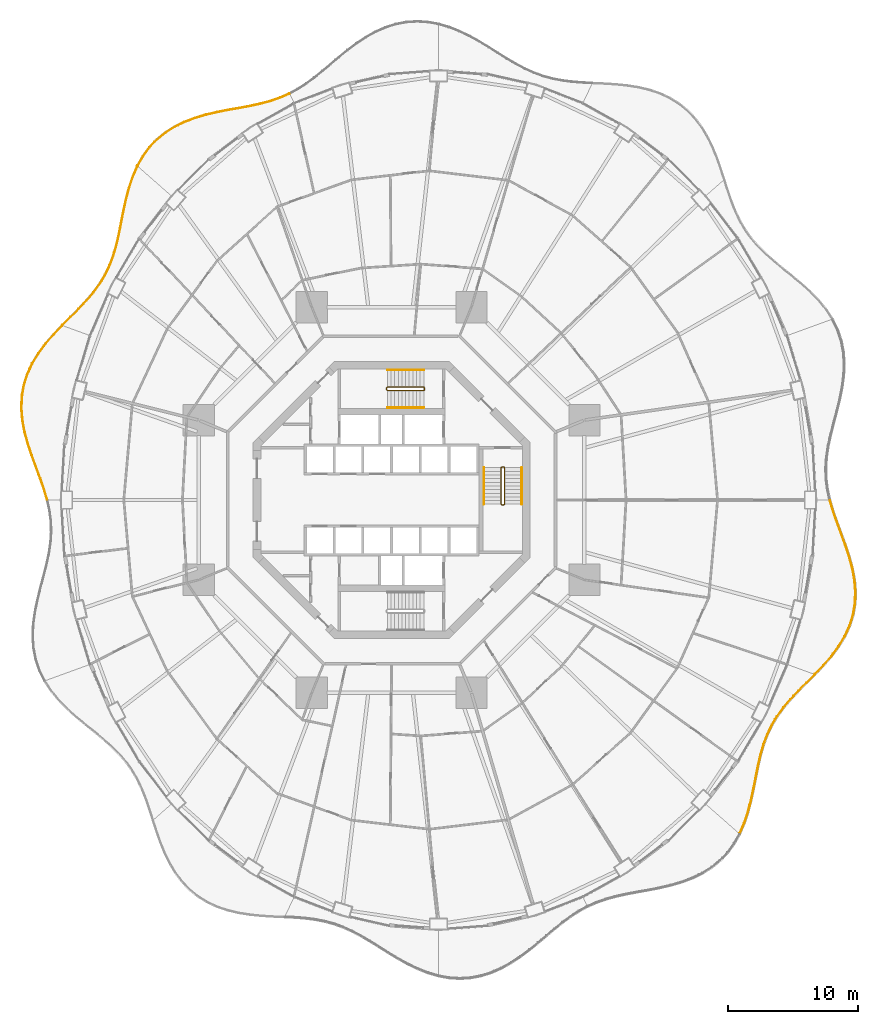
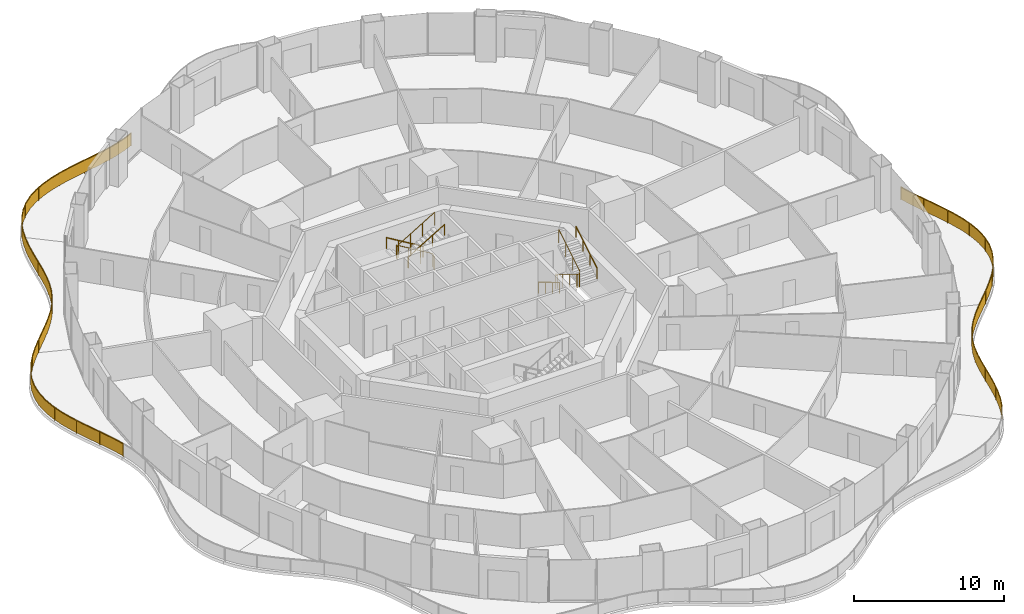
# One storey, part 21 of 22: 11 railings.
"""IFC4 building model written with IfcOpenShell, lengths in metres."""

from ifc_helpers import new_model, si_unit, direction, frame, origin, origin_2d, place, context, subcontext, project, spatial, polyline, rectangle, circle, outline, extrude, material, type_object, element, save


model = new_model("IFC4")

# Units and contexts
model_context = context("Model", 3, precision=1e-05, world=origin(), true_north=direction((0.0, 1.0)))
body_context = subcontext(model_context, "Body", "Model", "MODEL_VIEW")
ifc_project = project(units=[si_unit("LENGTHUNIT", "METRE"), si_unit("AREAUNIT", "SQUARE_METRE"), si_unit("VOLUMEUNIT", "CUBIC_METRE"), si_unit("PLANEANGLEUNIT", "RADIAN"), si_unit("MASSUNIT", "GRAM", prefix="KILO")], contexts=[model_context])

# Site, building, storey
site_placement = place(None, origin())
site = spatial("IfcSite", under=ifc_project, at=site_placement, CompositionType="ELEMENT")
building_placement = place(site_placement, origin())
building = spatial("IfcBuilding", under=site, at=building_placement, Name="Nagisa Residences", CompositionType="ELEMENT")
storey_placement = place(building_placement, frame((0.0, 0.0, 41.800048828125)))
storey = spatial("IfcBuildingStorey", under=building, at=storey_placement, Name="L09", CompositionType="ELEMENT", Elevation=41.800048828125)

# Railings
ifc_material_1 = material(Name="Stainless steel 316", Category="steel")
railing_type_1 = type_object("IfcRailingType", Name="BALCONY GUARD 1100", PredefinedType="BALUSTRADE", material=ifc_material_1)
railing_1_placement = place(storey_placement, frame((-7.841064453125, 31.1357421875, 0.0)))
element("IfcRailing", 1, at=railing_1_placement, inside=storey, type_object=railing_type_1, Name="guard:L09:bal05-0", PredefinedType="BALUSTRADE", context=body_context, shape_type="SweptSolid", body=[
    extrude(outline(polyline([(-0.654052734375, -0.316162109375), (0.010009765625, -0.02294921875), (-0.010009765625, 0.02294921875), (-0.672607421875, -0.269775390625), (-1.405029296875, -0.524658203125), (-2.171630859375, -0.73388671875), (-2.971923828125, -0.909423828125), (-3.801513671875, -1.06591796875), (-4.639404296875, -1.211181640625), (-5.502685546875, -1.381103515625), (-6.364990234375, -1.583251953125), (-7.212646484375, -1.832763671875), (-8.031005859375, -2.14306640625), (-8.793701171875, -2.5126953125), (-9.512451171875, -2.9697265625), (-10.1640625, -3.504638671875), (-10.741455078125, -4.115478515625), (-11.240234375, -4.79638671875), (-11.63623046875, -5.498046875), (-11.5927734375, -5.5224609375), (-11.1982421875, -4.82373046875), (-10.702880859375, -4.147705078125), (-10.1298828125, -3.541259765625), (-9.483154296875, -3.01025390625), (-8.769287109375, -2.556640625), (-8.010986328125, -2.18896484375), (-7.196533203125, -1.880126953125), (-6.352294921875, -1.631591796875), (-5.491943359375, -1.429931640625), (-4.630126953125, -1.260498046875), (-3.792724609375, -1.115234375), (-2.962158203125, -0.958251953125), (-2.159912109375, -0.78271484375), (-1.390380859375, -0.572509765625), (-0.654052734375, -0.316162109375)])), frame((0.0, 0.0, 1.050048828125)), (0.0, 0.0, 1.0), 0.050048828125),
    extrude(outline(polyline([(-0.66064453125, -0.299560546875), (0.0029296875, -0.00634765625), (-0.0029296875, 0.00634765625), (-0.666015625, -0.286376953125), (-1.399658203125, -0.5419921875), (-2.16748046875, -0.75146484375), (-2.968505859375, -0.927001953125), (-3.79833984375, -1.083740234375), (-4.635986328125, -1.22900390625), (-5.498779296875, -1.398681640625), (-6.3603515625, -1.6005859375), (-7.206787109375, -1.849853515625), (-8.023681640625, -2.15966796875), (-8.784912109375, -2.528564453125), (-9.501953125, -2.984375), (-10.15185546875, -3.517822265625), (-10.7275390625, -4.127197265625), (-11.22509765625, -4.80615234375), (-11.62060546875, -5.5068359375), (-11.6083984375, -5.513671875), (-11.21337890625, -4.81396484375), (-10.716796875, -4.135986328125), (-10.14208984375, -3.528076171875), (-9.49365234375, -2.99560546875), (-8.778076171875, -2.540771484375), (-8.018310546875, -2.17236328125), (-7.202392578125, -1.863037109375), (-6.35693359375, -1.6142578125), (-5.495849609375, -1.412353515625), (-4.633544921875, -1.24267578125), (-3.7958984375, -1.097412109375), (-2.965576171875, -0.940673828125), (-2.1640625, -0.76513671875), (-1.395751953125, -0.55517578125), (-0.66064453125, -0.299560546875)])), frame((0.0, 0.0, 0.06005859375)), (0.0, 0.0, 1.0), 0.989990234375),
    extrude(rectangle(XDim=0.0400390625, YDim=0.0400390625, at=origin_2d()), origin(), (0.0, 0.0, 1.0), 1.050048828125),
    extrude(rectangle(XDim=0.0400390625, YDim=0.0400390625, at=origin_2d()), frame((-2.09423828125, -0.73876953125, 0.0)), (0.0, 0.0, 1.0), 1.050048828125),
    extrude(rectangle(XDim=0.0400390625, YDim=0.0400390625, at=origin_2d()), frame((-4.27587890625, -1.173583984375, 0.0)), (0.0, 0.0, 1.0), 1.050048828125),
    extrude(rectangle(XDim=0.0400390625, YDim=0.0400390625, at=origin_2d()), frame((-6.451416015625, -1.634765625, 0.0)), (0.0, 0.0, 1.0), 1.050048828125),
    extrude(rectangle(XDim=0.0400390625, YDim=0.0400390625, at=origin_2d()), frame((-8.531005859375, -2.4130859375, 0.0)), (0.0, 0.0, 1.0), 1.050048828125),
    extrude(rectangle(XDim=0.0400390625, YDim=0.0400390625, at=origin_2d()), frame((-10.323974609375, -3.710205078125, 0.0)), (0.0, 0.0, 1.0), 1.050048828125),
    extrude(rectangle(XDim=0.0400390625, YDim=0.0400390625, at=origin_2d()), frame((-11.614501953125, -5.51025390625, 0.0)), (0.0, 0.0, 1.0), 1.050048828125),
])
railing_2_placement = place(storey_placement, frame((-19.48974609375, 25.555908203125, 0.0)))
element("IfcRailing", 2, at=railing_2_placement, inside=storey, type_object=railing_type_1, Name="guard:L09:bal06-0", PredefinedType="BALUSTRADE", context=body_context, shape_type="SweptSolid", body=[
    extrude(outline(polyline([(-0.318115234375, -0.79638671875), (0.02294921875, -0.010009765625), (-0.02294921875, 0.010009765625), (-0.364990234375, -0.7783203125), (-0.656494140625, -1.648681640625), (-0.89111328125, -2.541015625), (-1.0859375, -3.439697265625), (-1.260986328125, -4.32958984375), (-1.42724609375, -5.185546875), (-1.6220703125, -6.0224609375), (-1.8544921875, -6.82177734375), (-2.138916015625, -7.580810546875), (-2.485595703125, -8.30029296875), (-2.892822265625, -8.971923828125), (-3.3740234375, -9.62890625), (-3.915771484375, -10.26708984375), (-4.5078125, -10.896484375), (-5.133056640625, -11.52783203125), (-5.74169921875, -12.137451171875), (-5.7060546875, -12.172607421875), (-5.097412109375, -11.56298828125), (-4.4716796875, -10.93115234375), (-3.878662109375, -10.30029296875), (-3.33447265625, -9.66015625), (-2.851318359375, -8.999755859375), (-2.441650390625, -8.32421875), (-2.093017578125, -7.600341796875), (-1.80712890625, -6.83740234375), (-1.57373046875, -6.03515625), (-1.37841796875, -5.19580078125), (-1.211669921875, -4.33935546875), (-1.037109375, -3.449951171875), (-0.84228515625, -2.552734375), (-0.608642578125, -1.662841796875), (-0.318115234375, -0.79638671875)])), frame((0.0, 0.0, 1.050048828125)), (0.0, 0.0, 1.0), 0.050048828125),
    extrude(outline(polyline([(-0.3349609375, -0.789794921875), (0.00634765625, -0.002685546875), (-0.00634765625, 0.002685546875), (-0.34814453125, -0.784912109375), (-0.63916015625, -1.65380859375), (-0.87353515625, -2.545166015625), (-1.068359375, -3.443359375), (-1.2431640625, -4.3330078125), (-1.40966796875, -5.189208984375), (-1.604736328125, -6.027099609375), (-1.83740234375, -6.827392578125), (-2.122314453125, -7.587890625), (-2.4697265625, -8.308837890625), (-2.8779296875, -8.98193359375), (-3.35986328125, -9.64013671875), (-3.90234375, -10.279052734375), (-4.494873046875, -10.908935546875), (-5.1201171875, -11.54052734375), (-5.728759765625, -12.150146484375), (-5.718994140625, -12.159912109375), (-5.1103515625, -11.55029296875), (-4.484619140625, -10.918701171875), (-3.89208984375, -10.288330078125), (-3.3486328125, -9.64892578125), (-2.8662109375, -8.98974609375), (-2.45751953125, -8.315673828125), (-2.109619140625, -7.59326171875), (-1.82421875, -6.831787109375), (-1.591064453125, -6.030517578125), (-1.39599609375, -5.192138671875), (-1.2294921875, -4.3359375), (-1.0546875, -3.4462890625), (-0.85986328125, -2.548583984375), (-0.6259765625, -1.65771484375), (-0.3349609375, -0.789794921875)])), frame((0.0, 0.0, 0.06005859375)), (0.0, 0.0, 1.0), 0.989990234375),
    extrude(rectangle(XDim=0.0400390625, YDim=0.0400390625, at=origin_2d()), origin(), (0.0, 0.0, 1.0), 1.050048828125),
    extrude(rectangle(XDim=0.0400390625, YDim=0.0400390625, at=origin_2d()), frame((-0.764404296875, -2.157958984375, 0.0)), (0.0, 0.0, 1.0), 1.050048828125),
    extrude(rectangle(XDim=0.0400390625, YDim=0.0400390625, at=origin_2d()), frame((-1.248779296875, -4.398681640625, 0.0)), (0.0, 0.0, 1.0), 1.050048828125),
    extrude(rectangle(XDim=0.0400390625, YDim=0.0400390625, at=origin_2d()), frame((-1.772705078125, -6.6298828125, 0.0)), (0.0, 0.0, 1.0), 1.050048828125),
    extrude(rectangle(XDim=0.0400390625, YDim=0.0400390625, at=origin_2d()), frame((-2.7080078125, -8.71533203125, 0.0)), (0.0, 0.0, 1.0), 1.050048828125),
    extrude(rectangle(XDim=0.0400390625, YDim=0.0400390625, at=origin_2d()), frame((-4.117919921875, -10.518310546875, 0.0)), (0.0, 0.0, 1.0), 1.050048828125),
    extrude(rectangle(XDim=0.0400390625, YDim=0.0400390625, at=origin_2d()), frame((-5.723876953125, -12.155029296875, 0.0)), (0.0, 0.0, 1.0), 1.050048828125),
])
railing_3_placement = place(storey_placement, frame((-25.26806640625, 13.34716796875, 0.0)))
element("IfcRailing", 3, at=railing_3_placement, inside=storey, type_object=railing_type_1, Name="guard:L09:bal07-0", PredefinedType="BALUSTRADE", context=body_context, shape_type="SweptSolid", body=[
    extrude(outline(polyline([(-0.602294921875, -0.667724609375), (0.01806640625, -0.017333984375), (-0.01806640625, 0.017333984375), (-0.639404296875, -0.634033203125), (-1.256103515625, -1.348876953125), (-1.81396484375, -2.098388671875), (-2.291259765625, -2.88427734375), (-2.669921875, -3.7060546875), (-2.93408203125, -4.54638671875), (-3.083984375, -5.426513671875), (-3.11767578125, -6.325439453125), (-3.04248046875, -7.235107421875), (-2.87255859375, -8.14697265625), (-2.6259765625, -9.0400390625), (-2.32958984375, -9.935791015625), (-2.00732421875, -10.816162109375), (-1.685791015625, -11.68017578125), (-1.390380859375, -12.52734375), (-1.15380859375, -13.320068359375), (-1.10595703125, -13.305908203125), (-1.342529296875, -12.51171875), (-1.638916015625, -11.6630859375), (-1.96044921875, -10.799072265625), (-2.2822265625, -9.919189453125), (-2.578125, -9.025390625), (-2.82373046875, -8.1357421875), (-2.99267578125, -7.228271484375), (-3.0673828125, -6.324462890625), (-3.0341796875, -5.431884765625), (-2.88525390625, -4.55810546875), (-2.623046875, -3.72412109375), (-2.246826171875, -2.90771484375), (-1.7724609375, -2.126220703125), (-1.217041015625, -1.380126953125), (-0.602294921875, -0.667724609375)])), frame((0.0, 0.0, 1.050048828125)), (0.0, 0.0, 1.0), 0.050048828125),
    extrude(outline(polyline([(-0.61572265625, -0.655517578125), (0.005126953125, -0.0048828125), (-0.005126953125, 0.0048828125), (-0.6259765625, -0.646240234375), (-1.241943359375, -1.360107421875), (-1.799072265625, -2.1083984375), (-2.275146484375, -2.892822265625), (-2.653076171875, -3.712646484375), (-2.91650390625, -4.550537109375), (-3.066162109375, -5.428466796875), (-3.099609375, -6.3251953125), (-3.0244140625, -7.232666015625), (-2.85498046875, -8.142822265625), (-2.608642578125, -9.03466796875), (-2.3125, -9.9296875), (-1.990478515625, -10.81005859375), (-1.6689453125, -11.674072265625), (-1.373046875, -12.521728515625), (-1.136474609375, -13.31494140625), (-1.123291015625, -13.31103515625), (-1.35986328125, -12.517333984375), (-1.65576171875, -11.669189453125), (-1.977294921875, -10.80517578125), (-2.29931640625, -9.92529296875), (-2.595458984375, -9.03076171875), (-2.84130859375, -8.139892578125), (-3.0107421875, -7.230712890625), (-3.08544921875, -6.32470703125), (-3.052001953125, -5.429931640625), (-2.90283203125, -4.553955078125), (-2.639892578125, -3.717529296875), (-2.262939453125, -2.899169921875), (-1.787353515625, -2.1162109375), (-1.231201171875, -1.368896484375), (-0.61572265625, -0.655517578125)])), frame((0.0, 0.0, 0.06005859375)), (0.0, 0.0, 1.0), 0.989990234375),
    extrude(rectangle(XDim=0.0400390625, YDim=0.0400390625, at=origin_2d()), origin(), (0.0, 0.0, 1.0), 1.050048828125),
    extrude(rectangle(XDim=0.0400390625, YDim=0.0400390625, at=origin_2d()), frame((-1.377197265625, -1.553466796875, 0.0)), (0.0, 0.0, 1.0), 1.050048828125),
    extrude(rectangle(XDim=0.0400390625, YDim=0.0400390625, at=origin_2d()), frame((-2.46337890625, -3.317626953125, 0.0)), (0.0, 0.0, 1.0), 1.050048828125),
    extrude(rectangle(XDim=0.0400390625, YDim=0.0400390625, at=origin_2d()), frame((-3.037841796875, -5.303955078125, 0.0)), (0.0, 0.0, 1.0), 1.050048828125),
    extrude(rectangle(XDim=0.0400390625, YDim=0.0400390625, at=origin_2d()), frame((-2.9912109375, -7.373779296875, 0.0)), (0.0, 0.0, 1.0), 1.050048828125),
    extrude(rectangle(XDim=0.0400390625, YDim=0.0400390625, at=origin_2d()), frame((-2.485107421875, -9.385986328125, 0.0)), (0.0, 0.0, 1.0), 1.050048828125),
    extrude(rectangle(XDim=0.0400390625, YDim=0.0400390625, at=origin_2d()), frame((-1.784912109375, -11.342041015625, 0.0)), (0.0, 0.0, 1.0), 1.050048828125),
    extrude(rectangle(XDim=0.0400390625, YDim=0.0400390625, at=origin_2d()), frame((-1.1298828125, -13.31298828125, 0.0)), (0.0, 0.0, 1.0), 1.050048828125),
])
railing_4_placement = place(storey_placement, frame((26.689697265625, -25.555908203125, 0.0)))
element("IfcRailing", 4, at=railing_4_placement, inside=storey, type_object=railing_type_1, Name="guard:L09:bal14-0", PredefinedType="BALUSTRADE", context=body_context, shape_type="SweptSolid", body=[
    extrude(outline(polyline([(0.318115234375, 0.79638671875), (-0.02294921875, 0.010009765625), (0.02294921875, -0.010009765625), (0.364990234375, 0.7783203125), (0.656494140625, 1.648681640625), (0.89111328125, 2.541015625), (1.0859375, 3.439697265625), (1.260986328125, 4.32958984375), (1.427490234375, 5.185546875), (1.622314453125, 6.0224609375), (1.8544921875, 6.82177734375), (2.138916015625, 7.580810546875), (2.485595703125, 8.30029296875), (2.89306640625, 8.971923828125), (3.374267578125, 9.62890625), (3.916015625, 10.26708984375), (4.5078125, 10.896484375), (5.133056640625, 11.52783203125), (5.74169921875, 12.137451171875), (5.7060546875, 12.172607421875), (5.097412109375, 11.56298828125), (4.4716796875, 10.93115234375), (3.87890625, 10.30029296875), (3.334716796875, 9.66015625), (2.8515625, 8.999755859375), (2.441650390625, 8.32421875), (2.093017578125, 7.600341796875), (1.80712890625, 6.83740234375), (1.573974609375, 6.03515625), (1.378662109375, 5.19580078125), (1.211669921875, 4.33935546875), (1.037109375, 3.449951171875), (0.84228515625, 2.552734375), (0.608642578125, 1.662841796875), (0.318115234375, 0.79638671875)])), frame((0.0, 0.0, 1.050048828125)), (0.0, 0.0, 1.0), 0.050048828125),
    extrude(outline(polyline([(0.3349609375, 0.789794921875), (-0.00634765625, 0.002685546875), (0.00634765625, -0.002685546875), (0.34814453125, 0.784912109375), (0.63916015625, 1.65380859375), (0.87353515625, 2.545166015625), (1.068359375, 3.443359375), (1.2431640625, 4.3330078125), (1.409912109375, 5.189208984375), (1.60498046875, 6.027099609375), (1.83740234375, 6.827392578125), (2.122314453125, 7.587890625), (2.4697265625, 8.308837890625), (2.878173828125, 8.98193359375), (3.360107421875, 9.64013671875), (3.902587890625, 10.279052734375), (4.494873046875, 10.908935546875), (5.1201171875, 11.54052734375), (5.728759765625, 12.150146484375), (5.718994140625, 12.159912109375), (5.1103515625, 11.55029296875), (4.484619140625, 10.918701171875), (3.892333984375, 10.288330078125), (3.348876953125, 9.64892578125), (2.866455078125, 8.98974609375), (2.45751953125, 8.315673828125), (2.109619140625, 7.59326171875), (1.82421875, 6.831787109375), (1.59130859375, 6.030517578125), (1.396240234375, 5.192138671875), (1.2294921875, 4.3359375), (1.0546875, 3.4462890625), (0.85986328125, 2.548583984375), (0.6259765625, 1.65771484375), (0.3349609375, 0.789794921875)])), frame((0.0, 0.0, 0.06005859375)), (0.0, 0.0, 1.0), 0.989990234375),
    extrude(rectangle(XDim=0.0400390625, YDim=0.0400390625, at=origin_2d()), origin(), (0.0, 0.0, 1.0), 1.050048828125),
    extrude(rectangle(XDim=0.0400390625, YDim=0.0400390625, at=origin_2d()), frame((0.764404296875, 2.15771484375, 0.0)), (0.0, 0.0, 1.0), 1.050048828125),
    extrude(rectangle(XDim=0.0400390625, YDim=0.0400390625, at=origin_2d()), frame((1.248779296875, 4.398681640625, 0.0)), (0.0, 0.0, 1.0), 1.050048828125),
    extrude(rectangle(XDim=0.0400390625, YDim=0.0400390625, at=origin_2d()), frame((1.772705078125, 6.6298828125, 0.0)), (0.0, 0.0, 1.0), 1.050048828125),
    extrude(rectangle(XDim=0.0400390625, YDim=0.0400390625, at=origin_2d()), frame((2.708251953125, 8.71533203125, 0.0)), (0.0, 0.0, 1.0), 1.050048828125),
    extrude(rectangle(XDim=0.0400390625, YDim=0.0400390625, at=origin_2d()), frame((4.117919921875, 10.518310546875, 0.0)), (0.0, 0.0, 1.0), 1.050048828125),
    extrude(rectangle(XDim=0.0400390625, YDim=0.0400390625, at=origin_2d()), frame((5.723876953125, 12.155029296875, 0.0)), (0.0, 0.0, 1.0), 1.050048828125),
])
railing_5_placement = place(storey_placement, frame((32.468017578125, -13.34716796875, 0.0)))
element("IfcRailing", 5, at=railing_5_placement, inside=storey, type_object=railing_type_1, Name="guard:L09:bal15-0", PredefinedType="BALUSTRADE", context=body_context, shape_type="SweptSolid", body=[
    extrude(outline(polyline([(0.6025390625, 0.667724609375), (-0.01806640625, 0.017333984375), (0.01806640625, -0.017333984375), (0.6396484375, 0.634033203125), (1.256103515625, 1.348876953125), (1.81396484375, 2.098388671875), (2.291259765625, 2.88427734375), (2.669921875, 3.7060546875), (2.93408203125, 4.54638671875), (3.083984375, 5.426513671875), (3.11767578125, 6.325439453125), (3.04248046875, 7.235107421875), (2.87255859375, 8.14697265625), (2.6259765625, 9.0400390625), (2.32958984375, 9.935791015625), (2.00732421875, 10.816162109375), (1.685791015625, 11.68017578125), (1.390380859375, 12.52734375), (1.15380859375, 13.320068359375), (1.10595703125, 13.305908203125), (1.342529296875, 12.51171875), (1.638916015625, 11.6630859375), (1.96044921875, 10.799072265625), (2.2822265625, 9.919189453125), (2.578125, 9.025390625), (2.82373046875, 8.1357421875), (2.99267578125, 7.228271484375), (3.0673828125, 6.324462890625), (3.0341796875, 5.431884765625), (2.88525390625, 4.55810546875), (2.623046875, 3.72412109375), (2.246826171875, 2.90771484375), (1.7724609375, 2.126220703125), (1.217041015625, 1.380126953125), (0.6025390625, 0.667724609375)])), frame((0.0, 0.0, 1.050048828125)), (0.0, 0.0, 1.0), 0.050048828125),
    extrude(outline(polyline([(0.615966796875, 0.655517578125), (-0.005126953125, 0.0048828125), (0.005126953125, -0.0048828125), (0.626220703125, 0.646240234375), (1.241943359375, 1.360107421875), (1.799072265625, 2.1083984375), (2.275146484375, 2.892822265625), (2.653076171875, 3.712646484375), (2.91650390625, 4.550537109375), (3.066162109375, 5.428466796875), (3.099609375, 6.3251953125), (3.0244140625, 7.232666015625), (2.85498046875, 8.142822265625), (2.608642578125, 9.03466796875), (2.3125, 9.9296875), (1.990478515625, 10.81005859375), (1.6689453125, 11.674072265625), (1.373046875, 12.521728515625), (1.136474609375, 13.31494140625), (1.123291015625, 13.31103515625), (1.35986328125, 12.517333984375), (1.65576171875, 11.669189453125), (1.977294921875, 10.80517578125), (2.29931640625, 9.92529296875), (2.595458984375, 9.03076171875), (2.84130859375, 8.139892578125), (3.0107421875, 7.230712890625), (3.08544921875, 6.32470703125), (3.052001953125, 5.429931640625), (2.90283203125, 4.553955078125), (2.639892578125, 3.717529296875), (2.262939453125, 2.899169921875), (1.787353515625, 2.1162109375), (1.231201171875, 1.368896484375), (0.615966796875, 0.655517578125)])), frame((0.0, 0.0, 0.06005859375)), (0.0, 0.0, 1.0), 0.989990234375),
    extrude(rectangle(XDim=0.0400390625, YDim=0.0400390625, at=origin_2d()), origin(), (0.0, 0.0, 1.0), 1.050048828125),
    extrude(rectangle(XDim=0.0400390625, YDim=0.0400390625, at=origin_2d()), frame((1.377197265625, 1.553466796875, 0.0)), (0.0, 0.0, 1.0), 1.050048828125),
    extrude(rectangle(XDim=0.0400390625, YDim=0.0400390625, at=origin_2d()), frame((2.46337890625, 3.317626953125, 0.0)), (0.0, 0.0, 1.0), 1.050048828125),
    extrude(rectangle(XDim=0.0400390625, YDim=0.0400390625, at=origin_2d()), frame((3.037841796875, 5.303955078125, 0.0)), (0.0, 0.0, 1.0), 1.050048828125),
    extrude(rectangle(XDim=0.0400390625, YDim=0.0400390625, at=origin_2d()), frame((2.9912109375, 7.373779296875, 0.0)), (0.0, 0.0, 1.0), 1.050048828125),
    extrude(rectangle(XDim=0.0400390625, YDim=0.0400390625, at=origin_2d()), frame((2.485107421875, 9.385986328125, 0.0)), (0.0, 0.0, 1.0), 1.050048828125),
    extrude(rectangle(XDim=0.0400390625, YDim=0.0400390625, at=origin_2d()), frame((1.784912109375, 11.342041015625, 0.0)), (0.0, 0.0, 1.0), 1.050048828125),
    extrude(rectangle(XDim=0.0400390625, YDim=0.0400390625, at=origin_2d()), frame((1.1298828125, 13.31298828125, 0.0)), (0.0, 0.0, 1.0), 1.050048828125),
])
ifc_material_2 = material(Name="Stainless steel", Category="steel")
railing_type_2 = type_object("IfcRailingType", Name="Stair guard 1100", PredefinedType="GUARDRAIL", material=ifc_material_2)
railing_6_placement = place(storey_placement, frame((8.599609375, 2.52490234375, 0.0)))
element("IfcRailing", 6, at=railing_6_placement, inside=storey, type_object=railing_type_2, Name="L09 ST-E stair guard 1", PredefinedType="GUARDRAIL", context=body_context, shape_type="SweptSolid", body=[
    extrude(circle(Radius=0.02392578125, at=origin_2d()), frame((0.0, 0.0, 1.076171875), z_axis=(-1.0, 0.0, 0.0), x_axis=(0.0, -1.0, 0.0)), (0.0, 0.0, 1.0), 0.14990234375),
    extrude(circle(Radius=0.02392578125, at=origin_2d()), frame((-0.14990234375, 0.0, 1.076171875), z_axis=(-0.27434429532, -0.273006030465, 0.922064485248), x_axis=(0.705375805398, -0.708833529934, 0.0)), (0.0, 0.0, 1.0), 0.182373046875),
    extrude(circle(Radius=0.02392578125, at=origin_2d()), frame((-0.199951171875, -0.0498046875, 1.244140625), z_axis=(0.0, -0.857275202839, 0.514858452973), x_axis=(1.0, 0.0, 0.0)), (0.0, 0.0, 1.0), 3.26611328125),
    extrude(circle(Radius=0.02392578125, at=origin_2d()), frame((-0.199951171875, -2.849853515625, 2.92578125), z_axis=(0.707106781187, -0.707106781187, 0.0), x_axis=(0.707106781187, 0.707106781187, 0.0)), (0.0, 0.0, 1.0), 0.07080078125),
    extrude(circle(Radius=0.02392578125, at=origin_2d()), frame((-0.14990234375, -2.89990234375, 2.92578125), z_axis=(1.0, 0.0, 0.0), x_axis=(0.0, 1.0, 0.0)), (0.0, 0.0, 1.0), 0.14990234375),
    extrude(circle(Radius=0.02392578125, at=origin_2d()), frame((0.0, -2.89990234375, 2.92578125), z_axis=(0.274243871929, 0.274243871929, 0.92172696468), x_axis=(-0.707106781187, 0.707106781187, 0.0)), (0.0, 0.0, 1.0), 0.1826171875),
    extrude(circle(Radius=0.02392578125, at=origin_2d()), frame((0.050048828125, -2.849853515625, 3.09423828125), z_axis=(0.0, 0.857242210791, 0.514913383045), x_axis=(-1.0, 0.0, 0.0)), (0.0, 0.0, 1.0), 3.266357421875),
    extrude(circle(Radius=0.02099609375, at=origin_2d()), origin(), (0.0, 0.0, 1.0), 1.052001953125),
    extrude(circle(Radius=0.02099609375, at=origin_2d()), frame((-0.14990234375, 0.0, 0.0)), (0.0, 0.0, 1.0), 1.052001953125),
    extrude(circle(Radius=0.02099609375, at=origin_2d()), frame((-0.199951171875, -0.0498046875, 0.168212890625)), (0.0, 0.0, 1.0), 1.052001953125),
    extrude(circle(Radius=0.02099609375, at=origin_2d()), frame((-0.199951171875, -0.983154296875, 0.728759765625)), (0.0, 0.0, 1.0), 1.052001953125),
    extrude(circle(Radius=0.02099609375, at=origin_2d()), frame((-0.199951171875, -1.91650390625, 1.289306640625)), (0.0, 0.0, 1.0), 1.052001953125),
    extrude(circle(Radius=0.02099609375, at=origin_2d()), frame((-0.199951171875, -2.849853515625, 1.849853515625)), (0.0, 0.0, 1.0), 1.052001953125),
    extrude(circle(Radius=0.02099609375, at=origin_2d()), frame((-0.14990234375, -2.89990234375, 1.849853515625)), (0.0, 0.0, 1.0), 1.052001953125),
    extrude(circle(Radius=0.02099609375, at=origin_2d()), frame((0.0, -2.89990234375, 1.849853515625)), (0.0, 0.0, 1.0), 1.052001953125),
    extrude(circle(Radius=0.02099609375, at=origin_2d()), frame((0.050048828125, -2.849853515625, 2.01806640625)), (0.0, 0.0, 1.0), 1.052001953125),
    extrude(circle(Radius=0.02099609375, at=origin_2d()), frame((0.050048828125, -1.91650390625, 2.57861328125)), (0.0, 0.0, 1.0), 1.052001953125),
    extrude(circle(Radius=0.02099609375, at=origin_2d()), frame((0.050048828125, -0.983154296875, 3.139404296875)), (0.0, 0.0, 1.0), 1.052001953125),
    extrude(circle(Radius=0.02099609375, at=origin_2d()), frame((0.050048828125, -0.0498046875, 3.699951171875)), (0.0, 0.0, 1.0), 1.052001953125),
])
railing_7_placement = place(storey_placement, frame((2.52490234375, 8.44970703125, 0.0)))
element("IfcRailing", 7, at=railing_7_placement, inside=storey, type_object=railing_type_2, Name="L09 ST-N stair guard 1", PredefinedType="GUARDRAIL", context=body_context, shape_type="SweptSolid", body=[
    extrude(circle(Radius=0.02392578125, at=origin_2d()), frame((0.0, 0.0, 1.076171875), z_axis=(0.0, 1.0, 0.0), x_axis=(-1.0, 0.0, 0.0)), (0.0, 0.0, 1.0), 0.14990234375),
    extrude(circle(Radius=0.02392578125, at=origin_2d()), frame((0.0, 0.14990234375, 1.076171875), z_axis=(-0.273006030465, 0.27434429532, 0.922064485248), x_axis=(-0.708833529934, -0.705375805398, 0.0)), (0.0, 0.0, 1.0), 0.182373046875),
    extrude(circle(Radius=0.02392578125, at=origin_2d()), frame((-0.0498046875, 0.199951171875, 1.244140625), z_axis=(-0.857275202839, 0.0, 0.514858452973), x_axis=(0.0, -1.0, 0.0)), (0.0, 0.0, 1.0), 3.26611328125),
    extrude(circle(Radius=0.02392578125, at=origin_2d()), frame((-2.849853515625, 0.199951171875, 2.92578125), z_axis=(-0.707106781187, -0.707106781187, 0.0), x_axis=(0.707106781187, -0.707106781187, 0.0)), (0.0, 0.0, 1.0), 0.07080078125),
    extrude(circle(Radius=0.02392578125, at=origin_2d()), frame((-2.89990234375, 0.14990234375, 2.92578125), z_axis=(0.0, -1.0, 0.0), x_axis=(1.0, 0.0, 0.0)), (0.0, 0.0, 1.0), 0.14990234375),
    extrude(circle(Radius=0.02392578125, at=origin_2d()), frame((-2.89990234375, 0.0, 2.92578125), z_axis=(0.274243871929, -0.274243871929, 0.92172696468), x_axis=(0.707106781187, 0.707106781187, 0.0)), (0.0, 0.0, 1.0), 0.1826171875),
    extrude(circle(Radius=0.02392578125, at=origin_2d()), frame((-2.849853515625, -0.050048828125, 3.09423828125), z_axis=(0.857242210791, 0.0, 0.514913383045), x_axis=(0.0, 1.0, 0.0)), (0.0, 0.0, 1.0), 3.266357421875),
    extrude(circle(Radius=0.02099609375, at=origin_2d()), origin(), (0.0, 0.0, 1.0), 1.052001953125),
    extrude(circle(Radius=0.02099609375, at=origin_2d()), frame((0.0, 0.14990234375, 0.0)), (0.0, 0.0, 1.0), 1.052001953125),
    extrude(circle(Radius=0.02099609375, at=origin_2d()), frame((-0.0498046875, 0.199951171875, 0.168212890625)), (0.0, 0.0, 1.0), 1.052001953125),
    extrude(circle(Radius=0.02099609375, at=origin_2d()), frame((-0.983154296875, 0.199951171875, 0.728759765625)), (0.0, 0.0, 1.0), 1.052001953125),
    extrude(circle(Radius=0.02099609375, at=origin_2d()), frame((-1.91650390625, 0.199951171875, 1.289306640625)), (0.0, 0.0, 1.0), 1.052001953125),
    extrude(circle(Radius=0.02099609375, at=origin_2d()), frame((-2.849853515625, 0.199951171875, 1.849853515625)), (0.0, 0.0, 1.0), 1.052001953125),
    extrude(circle(Radius=0.02099609375, at=origin_2d()), frame((-2.89990234375, 0.14990234375, 1.849853515625)), (0.0, 0.0, 1.0), 1.052001953125),
    extrude(circle(Radius=0.02099609375, at=origin_2d()), frame((-2.89990234375, 0.0, 1.849853515625)), (0.0, 0.0, 1.0), 1.052001953125),
    extrude(circle(Radius=0.02099609375, at=origin_2d()), frame((-2.849853515625, -0.050048828125, 2.01806640625)), (0.0, 0.0, 1.0), 1.052001953125),
    extrude(circle(Radius=0.02099609375, at=origin_2d()), frame((-1.91650390625, -0.050048828125, 2.57861328125)), (0.0, 0.0, 1.0), 1.052001953125),
    extrude(circle(Radius=0.02099609375, at=origin_2d()), frame((-0.983154296875, -0.050048828125, 3.139404296875)), (0.0, 0.0, 1.0), 1.052001953125),
    extrude(circle(Radius=0.02099609375, at=origin_2d()), frame((-0.0498046875, -0.050048828125, 3.699951171875)), (0.0, 0.0, 1.0), 1.052001953125),
])
ifc_material_3 = material(Name="Stainless steel", Category="steel")
railing_type_3 = type_object("IfcRailingType", Name="Stair handrail 900", PredefinedType="HANDRAIL", material=ifc_material_3)
railing_8_placement = place(storey_placement, frame((7.07470703125, 2.47509765625, 0.168212890625)))
element("IfcRailing", 8, at=railing_8_placement, inside=storey, type_object=railing_type_3, Name="L09 ST-E stair handrail 1", PredefinedType="HANDRAIL", context=body_context, shape_type="SweptSolid", body=[
    extrude(circle(Radius=0.02392578125, at=origin_2d()), frame((0.0, 0.0, 0.8759765625), z_axis=(0.0, -0.857275202839, 0.514858452973), x_axis=(1.0, 0.0, 0.0)), (0.0, 0.0, 1.0), 3.26611328125),
    extrude(circle(Radius=0.02099609375, at=origin_2d()), origin(), (0.0, 0.0, 1.0), 0.851806640625),
    extrude(circle(Radius=0.02099609375, at=origin_2d()), frame((0.0, -0.933349609375, 0.560546875)), (0.0, 0.0, 1.0), 0.851806640625),
    extrude(circle(Radius=0.02099609375, at=origin_2d()), frame((0.0, -1.86669921875, 1.12109375)), (0.0, 0.0, 1.0), 0.851806640625),
    extrude(circle(Radius=0.02099609375, at=origin_2d()), frame((0.0, -2.800048828125, 1.681640625)), (0.0, 0.0, 1.0), 0.851806640625),
])
railing_9_placement = place(storey_placement, frame((9.974609375, -0.324951171875, 2.01806640625)))
element("IfcRailing", 9, at=railing_9_placement, inside=storey, type_object=railing_type_3, Name="L09 ST-E stair handrail 2", PredefinedType="HANDRAIL", context=body_context, shape_type="SweptSolid", body=[
    extrude(circle(Radius=0.02392578125, at=origin_2d()), frame((0.0, 0.0, 0.8759765625), z_axis=(0.0, 0.857242210791, 0.514913383045), x_axis=(-1.0, 0.0, 0.0)), (0.0, 0.0, 1.0), 3.266357421875),
    extrude(circle(Radius=0.02099609375, at=origin_2d()), origin(), (0.0, 0.0, 1.0), 0.851806640625),
    extrude(circle(Radius=0.02099609375, at=origin_2d()), frame((0.0, 0.933349609375, 0.560546875)), (0.0, 0.0, 1.0), 0.851806640625),
    extrude(circle(Radius=0.02099609375, at=origin_2d()), frame((0.0, 1.86669921875, 1.121337890625)), (0.0, 0.0, 1.0), 0.851806640625),
    extrude(circle(Radius=0.02099609375, at=origin_2d()), frame((0.0, 2.800048828125, 1.681884765625)), (0.0, 0.0, 1.0), 0.851806640625),
])
railing_10_placement = place(storey_placement, frame((2.47509765625, 9.974609375, 0.168212890625)))
element("IfcRailing", 10, at=railing_10_placement, inside=storey, type_object=railing_type_3, Name="L09 ST-N stair handrail 1", PredefinedType="HANDRAIL", context=body_context, shape_type="SweptSolid", body=[
    extrude(circle(Radius=0.02392578125, at=origin_2d()), frame((0.0, 0.0, 0.8759765625), z_axis=(-0.857275202839, 0.0, 0.514858452973), x_axis=(0.0, -1.0, 0.0)), (0.0, 0.0, 1.0), 3.26611328125),
    extrude(circle(Radius=0.02099609375, at=origin_2d()), origin(), (0.0, 0.0, 1.0), 0.851806640625),
    extrude(circle(Radius=0.02099609375, at=origin_2d()), frame((-0.933349609375, 0.0, 0.560546875)), (0.0, 0.0, 1.0), 0.851806640625),
    extrude(circle(Radius=0.02099609375, at=origin_2d()), frame((-1.86669921875, 0.0, 1.12109375)), (0.0, 0.0, 1.0), 0.851806640625),
    extrude(circle(Radius=0.02099609375, at=origin_2d()), frame((-2.800048828125, 0.0, 1.681640625)), (0.0, 0.0, 1.0), 0.851806640625),
])
railing_11_placement = place(storey_placement, frame((-0.324951171875, 7.07470703125, 2.01806640625)))
element("IfcRailing", 11, at=railing_11_placement, inside=storey, type_object=railing_type_3, Name="L09 ST-N stair handrail 2", PredefinedType="HANDRAIL", context=body_context, shape_type="SweptSolid", body=[
    extrude(circle(Radius=0.02392578125, at=origin_2d()), frame((0.0, 0.0, 0.8759765625), z_axis=(0.857242210791, 0.0, 0.514913383045), x_axis=(0.0, 1.0, 0.0)), (0.0, 0.0, 1.0), 3.266357421875),
    extrude(circle(Radius=0.02099609375, at=origin_2d()), origin(), (0.0, 0.0, 1.0), 0.851806640625),
    extrude(circle(Radius=0.02099609375, at=origin_2d()), frame((0.933349609375, 0.0, 0.560546875)), (0.0, 0.0, 1.0), 0.851806640625),
    extrude(circle(Radius=0.02099609375, at=origin_2d()), frame((1.86669921875, 0.0, 1.121337890625)), (0.0, 0.0, 1.0), 0.851806640625),
    extrude(circle(Radius=0.02099609375, at=origin_2d()), frame((2.800048828125, 0.0, 1.681884765625)), (0.0, 0.0, 1.0), 0.851806640625),
])

save(model, "model.ifc")
